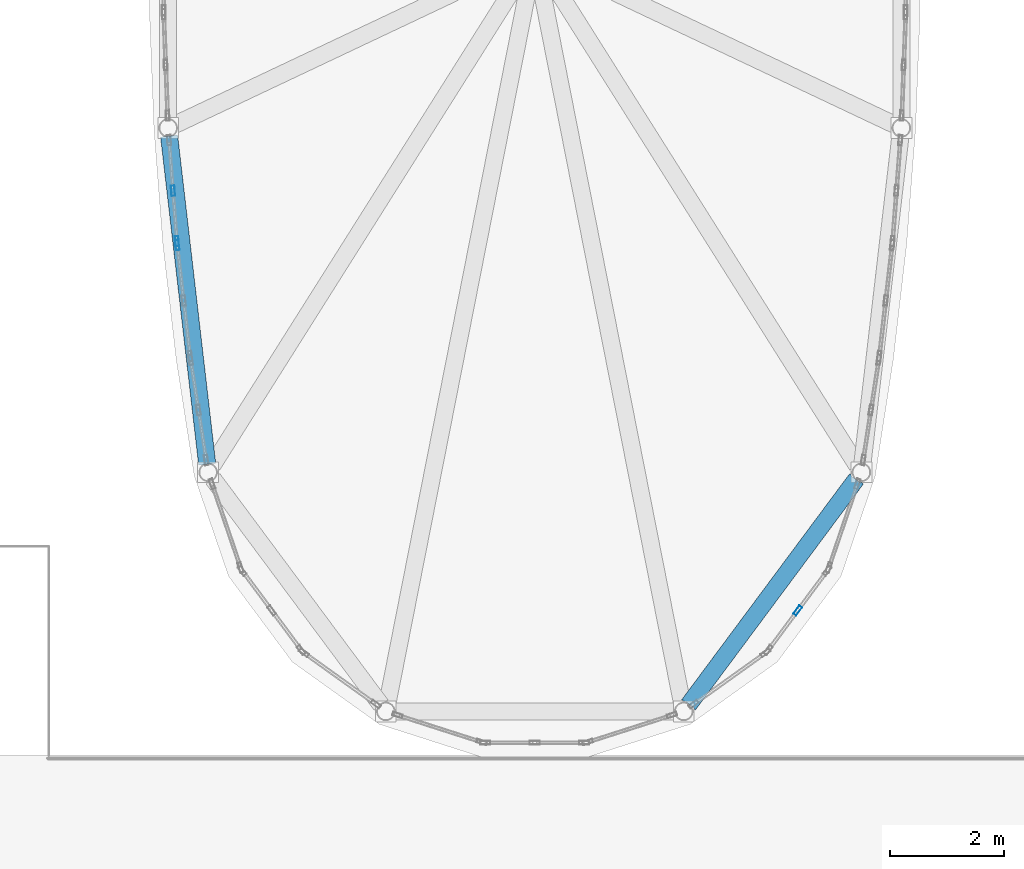
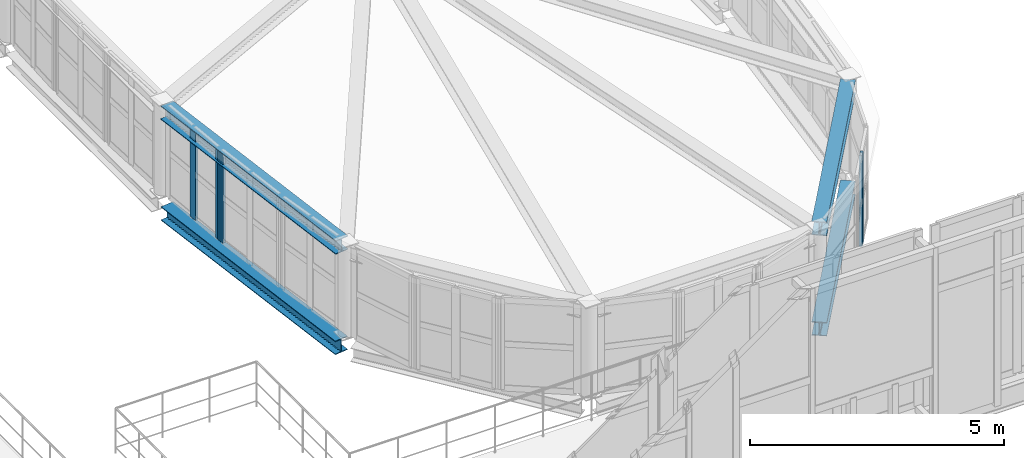
# One storey, part 24 of 78: 4 beams, 4 members, 3 elements without a shape of their own.
"""IFC4 building model written with IfcOpenShell, lengths in metres."""

from ifc_helpers import new_model, si_unit, direction, frame, origin, origin_2d, place, context, subcontext, project, spatial, hollow_rectangle, i_section, extrude, material, layer, layer_set, material_profile, profile_set, type_object, element, aggregate, save


model = new_model("IFC4")

# Units and contexts
model_context = context("Model", 3, precision=1e-05, world=origin(), true_north=direction((0.0, 1.0)))
body_context = subcontext(model_context, "Body", "Model", "MODEL_VIEW")
ifc_project = project(units=[si_unit("LENGTHUNIT", "METRE"), si_unit("AREAUNIT", "SQUARE_METRE"), si_unit("VOLUMEUNIT", "CUBIC_METRE"), si_unit("PLANEANGLEUNIT", "RADIAN"), si_unit("MASSUNIT", "GRAM", prefix="KILO")], contexts=[model_context])

# Site, building, storey
site_placement = place(None, origin())
site = spatial("IfcSite", under=ifc_project, at=site_placement, CompositionType="ELEMENT")
building_placement = place(site_placement, origin())
building = spatial("IfcBuilding", under=site, at=building_placement, Name="Vinh Khe Railworks Police Headquarters", CompositionType="ELEMENT")
storey_placement = place(building_placement, frame((0.0, 0.0, 13.199951171875)))
storey = spatial("IfcBuildingStorey", under=building, at=storey_placement, Name="L03", CompositionType="ELEMENT", Elevation=13.199951171875)

# Curtain wall, members
ifc_material_1 = material(Name="Anodised aluminium and acoustic laminated glass", Category="aluminium")
ifc_layer = layer(ifc_material_1, 0.159912109375)
ifc_layer_set = layer_set([ifc_layer], Name="Anodised aluminium and acoustic laminated glass")
curtain_wall_type = type_object("IfcCurtainWallType", Name="CW-DRUM-CHORD", PredefinedType="USERDEFINED", material=ifc_layer_set)
curtain_wall_1_placement = place(storey_placement, origin())
curtain_wall_1 = element("IfcCurtainWall", 1, at=curtain_wall_1_placement, inside=storey, type_object=curtain_wall_type, Name="Elliptical Command Drum Glazing L03 Chord 25", ObjectType="DRUM FACADE GLAZING", PredefinedType="USERDEFINED")
ifc_material_2 = material(Name="Anodised aluminium 6063-T6", Category="aluminium")
ifc_material_profile_1 = material_profile(ifc_material_2, hollow_rectangle(XDim=0.06494140625, YDim=0.179931640625, WallThickness=0.0048828125, at=origin_2d()), Name="CW-M 65x180x5")
ifc_profile_set_1 = profile_set([ifc_material_profile_1], Name="Anodised aluminium 6063-T6")
member_type = type_object("IfcMemberType", Name="MULL-CWM-02", PredefinedType="MULLION", material=ifc_profile_set_1)
member_1_placement = place(storey_placement, frame((36.87255859375, 37.868896484375, 0.0), z_axis=(0.0, 0.0, 1.0), x_axis=(0.997033481847, 0.076969059213, 0.0)))
member_1 = element("IfcMember", 2, at=member_1_placement, type_object=member_type, Name="CW-02 mullion 2", PredefinedType="MULLION", context=body_context, shape_type="SweptSolid", body=[
    extrude(hollow_rectangle(XDim=0.06494140625, YDim=0.179931640625, WallThickness=0.0048828125, at=origin_2d()), origin(), (0.0, 0.0, 1.0), 2.179931640625),
])
member_2_placement = place(storey_placement, frame((36.94091796875, 36.98388671875, 0.0), z_axis=(0.0, 0.0, 1.0), x_axis=(0.997033481847, 0.076969059213, 0.0)))
member_2 = element("IfcMember", 3, at=member_2_placement, type_object=member_type, Name="CW-02 mullion 3", PredefinedType="MULLION", context=body_context, shape_type="SweptSolid", body=[
    extrude(hollow_rectangle(XDim=0.06494140625, YDim=0.179931640625, WallThickness=0.0048828125, at=origin_2d()), origin(), (0.0, 0.0, 1.0), 2.179931640625),
])
aggregate(curtain_wall_1, [member_1, member_2])

# Curtain wall, member
curtain_wall_2_placement = place(storey_placement, origin())
curtain_wall_2 = element("IfcCurtainWall", 4, at=curtain_wall_2_placement, inside=storey, type_object=curtain_wall_type, Name="Elliptical Command Drum Glazing L03 Chord 26", ObjectType="DRUM FACADE GLAZING", PredefinedType="USERDEFINED")
member_3_placement = place(storey_placement, frame((36.947021484375, 36.919189453125, 0.0), z_axis=(0.0, 0.0, 1.0), x_axis=(0.993328656296, 0.115317737498, 0.0)))
member_3 = element("IfcMember", 5, at=member_3_placement, type_object=member_type, Name="CW-02 mullion 1", PredefinedType="MULLION", context=body_context, shape_type="SweptSolid", body=[
    extrude(hollow_rectangle(XDim=0.06494140625, YDim=0.179931640625, WallThickness=0.0048828125, at=origin_2d()), origin(), (0.0, 0.0, 1.0), 2.179931640625),
])
aggregate(curtain_wall_2, [member_3])

curtain_wall_3_placement = place(storey_placement, origin())
curtain_wall_3 = element("IfcCurtainWall", 6, at=curtain_wall_3_placement, inside=storey, type_object=curtain_wall_type, Name="Elliptical Command Drum Glazing L03 Chord 35", ObjectType="DRUM FACADE GLAZING", PredefinedType="USERDEFINED")
member_4_placement = place(storey_placement, frame((47.799072265625, 30.5263671875, 0.0), z_axis=(0.0, 0.0, 1.0), x_axis=(-0.802591949394, 0.596528425784, 0.0)))
member_4 = element("IfcMember", 7, at=member_4_placement, type_object=member_type, Name="CW-02 mullion 2", PredefinedType="MULLION", context=body_context, shape_type="SweptSolid", body=[
    extrude(hollow_rectangle(XDim=0.06494140625, YDim=0.179931640625, WallThickness=0.0048828125, at=origin_2d()), origin(), (0.0, 0.0, 1.0), 2.179931640625),
])
aggregate(curtain_wall_3, [member_4])

# Beams
ifc_material_3 = material(Name="Steel S355JR", Category="steel")
ifc_material_profile_2 = material_profile(ifc_material_3, i_section(OverallWidth=0.300048828125, OverallDepth=0.330078125, WebThickness=0.009521484375, FlangeThickness=0.0166015625, FilletRadius=0.027099609375, at=origin_2d()), Name="HEA 340")
ifc_profile_set_2 = profile_set([ifc_material_profile_2], Name="Steel S355JR")
beam_type = type_object("IfcBeamType", Name="Steel Girder HEA 340", PredefinedType="BEAM", material=ifc_profile_set_2)
beam_1_placement = place(storey_placement, frame((36.805908203125, 38.811279296875, -0.385009765625), z_axis=(0.115301092257, -0.993330588538, 0.0), x_axis=(0.993330588538, 0.115301092257, 0.0)))
element("IfcBeam", 8, at=beam_1_placement, inside=storey, type_object=beam_type, Name="Drum Ring Girder BM-L03-DRUM-SB-16-1272", PredefinedType="BEAM", context=body_context, shape_type="SweptSolid", body=[
    extrude(i_section(OverallWidth=0.300048828125, OverallDepth=0.330078125, WebThickness=0.009521484375, FlangeThickness=0.0166015625, FilletRadius=0.027099609375, at=origin_2d()), origin(), (0.0, 0.0, 1.0), 5.748779296875),
])
beam_2_placement = place(storey_placement, frame((45.899169921875, 28.88916015625, -0.385009765625), z_axis=(0.596562747414, 0.802566438619, 0.0), x_axis=(-0.802566438619, 0.596562747414, 0.0)))
element("IfcBeam", 9, at=beam_2_placement, inside=storey, type_object=beam_type, Name="Drum Ring Girder BM-L03-DRUM-SB-16-1275", PredefinedType="BEAM", context=body_context, shape_type="SweptSolid", body=[
    extrude(i_section(OverallWidth=0.300048828125, OverallDepth=0.330078125, WebThickness=0.009521484375, FlangeThickness=0.0166015625, FilletRadius=0.027099609375, at=origin_2d()), origin(), (0.0, 0.0, 1.0), 4.89453125),
])
beam_3_placement = place(storey_placement, frame((36.803955078125, 38.826904296875, 2.03515625), z_axis=(0.115307025533, -0.993329899813, 0.0), x_axis=(0.993329899813, 0.115307025533, 0.0)))
element("IfcBeam", 10, at=beam_3_placement, inside=storey, type_object=beam_type, Name="Drum Ring Girder BM-L03-DRUM-SB-16-1478", PredefinedType="BEAM", context=body_context, shape_type="SweptSolid", body=[
    extrude(i_section(OverallWidth=0.300048828125, OverallDepth=0.330078125, WebThickness=0.009521484375, FlangeThickness=0.0166015625, FilletRadius=0.027099609375, at=origin_2d()), origin(), (0.0, 0.0, 1.0), 5.7802734375),
])
beam_4_placement = place(storey_placement, frame((45.889892578125, 28.87646484375, 2.03515625), z_axis=(0.596521081852, 0.802597407737, 0.0), x_axis=(-0.802597407737, 0.596521081852, 0.0)))
element("IfcBeam", 11, at=beam_4_placement, inside=storey, type_object=beam_type, Name="Drum Ring Girder BM-L03-DRUM-SB-16-1481", PredefinedType="BEAM", context=body_context, shape_type="SweptSolid", body=[
    extrude(i_section(OverallWidth=0.300048828125, OverallDepth=0.330078125, WebThickness=0.009521484375, FlangeThickness=0.0166015625, FilletRadius=0.027099609375, at=origin_2d()), origin(), (0.0, 0.0, 1.0), 4.926025390625),
])

save(model, "model.ifc")
